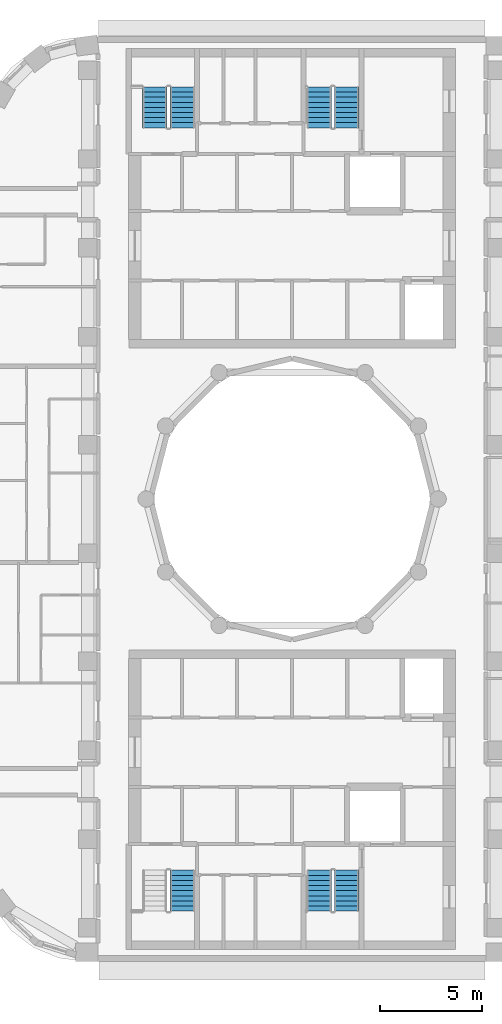
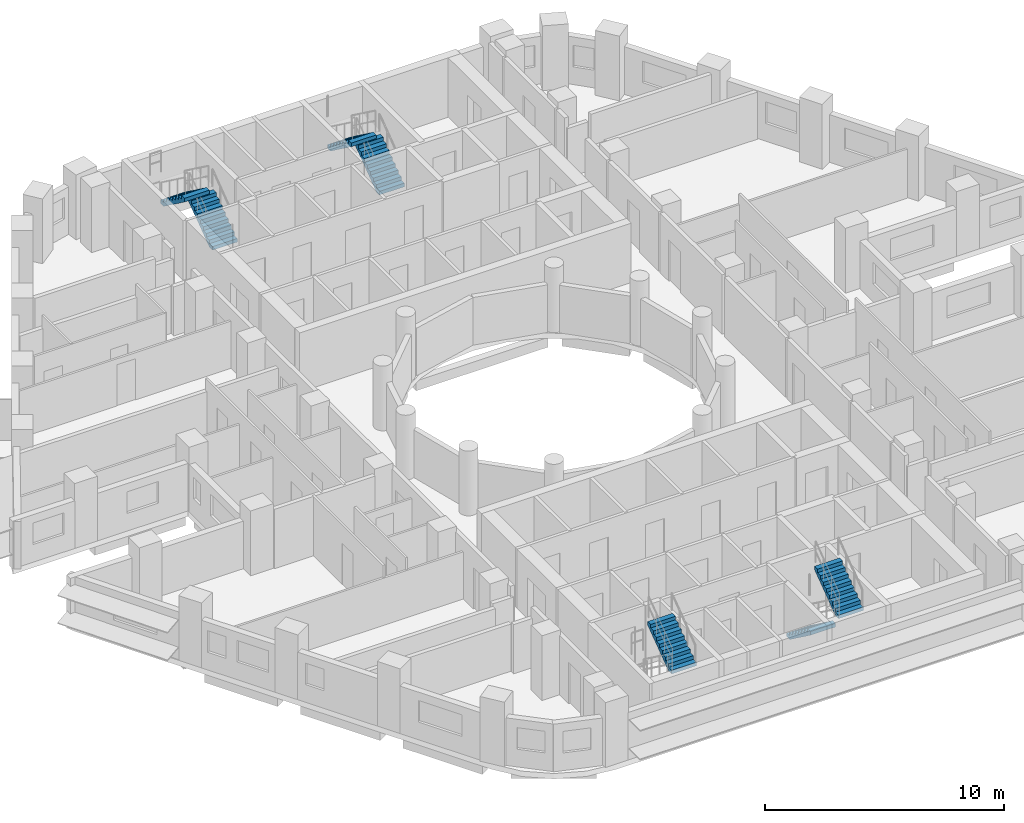
# One storey, part 9 of 13: 7 stair flights, 4 elements without a shape of their own.
"""IFC4 building model written with IfcOpenShell, lengths in metres."""

import ifcopenshell
import ifcopenshell.guid

model = None  # the IFC model being written
_history = None  # IfcOwnerHistory: only IFC2X3 demands one
_inside = {}  # id of a spatial element -> (the spatial element, [elements in it])
_under = {}  # id of a project, library or spatial element -> (it, [spatial elements below it])
_declared = {}  # id of a project -> (the project, [libraries it declares])
_typed = {}  # id of a type object -> (the type object, [elements of that type])
_made_of = {}  # id of a material, layer set ... -> (it, [elements and type objects made of it])


def new_model(schema):
    """Start an empty IFC model of exactly this schema.

    Asked for "IFC4X3", IfcOpenShell would pick the latest addendum, in which some entities
    have other attributes; the version numbers below select the first issue.
    IFC2X3 requires an IfcOwnerHistory on every rooted entity: one is made here for all.
    """
    global model, _history
    if schema == "IFC4X3":
        model = ifcopenshell.file(schema_version=(4, 3, 0, 0))
    else:
        model = ifcopenshell.file(schema=schema)
    _inside.clear()
    _under.clear()
    _declared.clear()
    _typed.clear()
    _made_of.clear()
    _history = None
    if model.schema == "IFC2X3":
        org = make("IfcOrganization", Name="unknown")
        user = make(
            "IfcPersonAndOrganization",
            ThePerson=make("IfcPerson", FamilyName="unknown"),
            TheOrganization=org,
        )
        app = make(
            "IfcApplication",
            ApplicationDeveloper=org,
            Version="unknown",
            ApplicationFullName="unknown",
            ApplicationIdentifier="unknown",
        )
        _history = make(
            "IfcOwnerHistory",
            OwningUser=user,
            OwningApplication=app,
            ChangeAction="ADDED",
            CreationDate=0,
        )
    return model


def make(cls, **values):
    """One entity of the class cls with the attributes given. An attribute that is None is left unset."""
    return model.create_entity(
        cls, **{name: value for name, value in values.items() if value is not None}
    )


def rooted(cls, **values):
    """An entity with a GlobalId (a new one), such as an element, a storey or a relation."""
    return make(cls, GlobalId=ifcopenshell.guid.new(), OwnerHistory=_history, **values)


def si_unit(unit_type, name, prefix=None):
    """IfcSIUnit, for example si_unit("LENGTHUNIT", "METRE", prefix="MILLI")."""
    return make("IfcSIUnit", UnitType=unit_type, Prefix=prefix, Name=name)


def assignment(units):
    """IfcUnitAssignment: the units of a project."""
    return None if units is None else make("IfcUnitAssignment", Units=units)


def point(xyz):
    """IfcCartesianPoint."""
    return None if xyz is None else make("IfcCartesianPoint", Coordinates=xyz)


def direction(xyz):
    """IfcDirection."""
    return None if xyz is None else make("IfcDirection", DirectionRatios=xyz)


def frame(location, z_axis=None, x_axis=None):
    """IfcAxis2Placement3D, a coordinate frame: its origin and axes. An axis left out is left unset."""
    return make(
        "IfcAxis2Placement3D",
        Location=point(location),
        Axis=direction(z_axis),
        RefDirection=direction(x_axis),
    )


def origin():
    """The frame at (0, 0, 0) with its axes left unset."""
    return frame((0.0, 0.0, 0.0))


def place(relative_to, where):
    """IfcLocalPlacement: puts the frame where relative to a parent placement (None: the world)."""
    return make(
        "IfcLocalPlacement", PlacementRelTo=relative_to, RelativePlacement=where
    )


def context(
    kind, dimensions, precision=None, world=None, true_north=None, identifier=None
):
    """IfcGeometricRepresentationContext, for example the 3D "Model" context."""
    return make(
        "IfcGeometricRepresentationContext",
        ContextIdentifier=identifier,
        ContextType=kind,
        CoordinateSpaceDimension=dimensions,
        Precision=precision,
        WorldCoordinateSystem=world,
        TrueNorth=true_north,
    )


def subcontext(parent, identifier, kind, view, scale=None):
    """IfcGeometricRepresentationSubContext, for example "Body" below "Model"."""
    return make(
        "IfcGeometricRepresentationSubContext",
        ContextIdentifier=identifier,
        ContextType=kind,
        ParentContext=parent,
        TargetScale=scale,
        TargetView=view,
    )


def project(units=None, contexts=None):
    """IfcProject with its units and contexts."""
    return rooted(
        "IfcProject",
        Name="project",
        RepresentationContexts=contexts,
        UnitsInContext=assignment(units),
    )


def spatial(cls, under=None, at=None, **own):
    """A site, building, storey or space (cls), placed at a placement, below another one or the project."""
    s = rooted(cls, ObjectPlacement=at, **own)
    if under is not None:
        _under.setdefault(under.id(), (under, []))[1].append(s)
    return s


def polyline(points):
    """IfcPolyline through the points."""
    return make("IfcPolyline", Points=[point(p) for p in points])


def outline(outer, holes=None, kind="AREA"):
    """IfcArbitraryClosedProfileDef: a profile drawn as a closed curve; with holes, ...WithVoids."""
    if holes is None:
        return make("IfcArbitraryClosedProfileDef", ProfileType=kind, OuterCurve=outer)
    return make(
        "IfcArbitraryProfileDefWithVoids",
        ProfileType=kind,
        OuterCurve=outer,
        InnerCurves=holes,
    )


def extrude(swept, where, along, depth):
    """IfcExtrudedAreaSolid: the profile swept, set in the frame where, extruded along a direction by depth."""
    return make(
        "IfcExtrudedAreaSolid",
        SweptArea=swept,
        Position=where,
        ExtrudedDirection=direction(along),
        Depth=depth,
    )


def shape(context_of_items, identifier, shape_type, items):
    """IfcShapeRepresentation: the items that make up one representation, for example the "Body"."""
    return make(
        "IfcShapeRepresentation",
        ContextOfItems=context_of_items,
        RepresentationIdentifier=identifier,
        RepresentationType=shape_type,
        Items=items,
    )


def material(Name=None, Category=None):
    """IfcMaterial."""
    return make("IfcMaterial", Name=Name, Category=Category)


def made_of(thing, what):
    """Note that an element or type object is made of a material, layer set ...; save() writes the relation."""
    if what is not None:
        _made_of.setdefault(what.id(), (what, []))[1].append(thing)
    return thing


def type_object(cls, material=None, **own):
    """A type object (cls), such as IfcWallType, which elements share."""
    return made_of(rooted(cls, **own), material)


def element(
    cls,
    number,
    at=None,
    inside=None,
    cuts=None,
    type_object=None,
    material=None,
    context=None,
    identifier="Body",
    shape_type=None,
    held_by="IfcProductDefinitionShape",
    body=None,
    shapes=None,
    **own,
):
    """One element of the class cls, such as IfcWall. Its Tag is "e" and its number.

    at: its placement. inside: the storey or other place that contains it. cuts: it is an
    opening in that element (IfcRelVoidsElement). A single representation is given by context,
    identifier, shape_type and body (its items); several are given by shapes. held_by: the class
    of the entity that holds the representations. save() writes the other relations.
    """
    e = rooted(cls, Tag="e%d" % number, ObjectPlacement=at, **own)
    if body is not None:
        shapes = [shape(context, identifier, shape_type, body)]
    if shapes is not None:
        e.Representation = make(held_by, Representations=shapes)
    if inside is not None:
        _inside.setdefault(inside.id(), (inside, []))[1].append(e)
    if cuts is not None:
        rooted(
            "IfcRelVoidsElement", RelatingBuildingElement=cuts, RelatedOpeningElement=e
        )
    if type_object is not None:
        _typed.setdefault(type_object.id(), (type_object, []))[1].append(e)
    return made_of(e, material)


def aggregate(whole, parts):
    """IfcRelAggregates: a whole, such as a stair, and the parts it consists of."""
    return rooted("IfcRelAggregates", RelatingObject=whole, RelatedObjects=parts)


def save(model, path):
    """Write the relations noted so far, then the file.

    IfcRelAggregates (storeys below a building ...), IfcRelContainedInSpatialStructure (elements
    in a storey), IfcRelDefinesByType, IfcRelAssociatesMaterial and IfcRelDeclares: one each for
    every whole, place, type object, material and project.
    """
    for whole, parts in _under.values():
        aggregate(whole, parts)
    for where, things in _inside.values():
        rooted(
            "IfcRelContainedInSpatialStructure",
            RelatedElements=things,
            RelatingStructure=where,
        )
    for kind, things in _typed.values():
        rooted("IfcRelDefinesByType", RelatedObjects=things, RelatingType=kind)
    for what, things in _made_of.values():
        rooted("IfcRelAssociatesMaterial", RelatedObjects=things, RelatingMaterial=what)
    for by, libraries in _declared.values():
        rooted("IfcRelDeclares", RelatingContext=by, RelatedDefinitions=libraries)
    model.write(path)


model = new_model("IFC4")

# Units and contexts
model_context = context("Model", 3, precision=1e-05, world=origin(), true_north=direction((0.0, 1.0)))
body_context = subcontext(model_context, "Body", "Model", "MODEL_VIEW")
ifc_project = project(units=[si_unit("LENGTHUNIT", "METRE"), si_unit("AREAUNIT", "SQUARE_METRE"), si_unit("VOLUMEUNIT", "CUBIC_METRE"), si_unit("PLANEANGLEUNIT", "RADIAN"), si_unit("MASSUNIT", "GRAM", prefix="KILO")], contexts=[model_context])

# Site, building, storey
site_placement = place(None, origin())
site = spatial("IfcSite", under=ifc_project, at=site_placement, CompositionType="ELEMENT")
building_placement = place(site_placement, origin())
building = spatial("IfcBuilding", under=site, at=building_placement, Name="Nakaniwa Court", CompositionType="ELEMENT")
storey_placement = place(building_placement, frame((0.0, 0.0, 246.0)))
storey = spatial("IfcBuildingStorey", under=building, at=storey_placement, Name="L64", CompositionType="ELEMENT", Elevation=246.0)

# Stair, stair flights
ifc_material = material(Name="Concrete C80/100", Category="concrete")
stair_type = type_object("IfcStairType", Name="Dog leg stair 1200 wide 18 risers", PredefinedType="HALF_TURN_STAIR", material=ifc_material)
stair_1_placement = place(storey_placement, origin())
stair_1 = element("IfcStair", 1, at=stair_1_placement, inside=storey, type_object=stair_type, Name="L64 Stair ST1", PredefinedType="HALF_TURN_STAIR")
stair_flight_type = type_object("IfcStairFlightType", Name="Stair flight 1200 wide 9 risers", PredefinedType="STRAIGHT", material=ifc_material)
stair_flight_1_placement = place(storey_placement, frame((74.625, 98.175048828125, 0.0), z_axis=(0.0, 0.0, 1.0), x_axis=(0.0, 1.0, 0.0)))
stair_flight_1 = element("IfcStairFlight", 2, at=stair_flight_1_placement, type_object=stair_flight_type, Name="ST1 flight 1", NumberOfRisers=9, NumberOfTreads=8, PredefinedType="STRAIGHT", RiserHeight=0.183333333, TreadLength=0.25, context=body_context, shape_type="SweptSolid", body=[
    extrude(outline(polyline([(0.0, 0.0), (0.0, 0.026123046875), (0.0, 0.052490234375), (0.0, 0.07861328125), (0.0, 0.104736328125), (0.0, 0.130859375), (0.0, 0.1572265625), (0.0, 0.183349609375), (0.25, 0.183349609375), (0.25, 0.36669921875), (0.5, 0.36669921875), (0.5, 0.550048828125), (0.75, 0.550048828125), (0.75, 0.7333984375), (1.0, 0.7333984375), (1.0, 0.916748046875), (1.25, 0.916748046875), (1.25, 1.10009765625), (1.5, 1.10009765625), (1.5, 1.283447265625), (1.75, 1.283447265625), (1.75, 1.466552734375), (2.0, 1.466552734375), (2.0, 1.64990234375), (2.0, 1.59716796875), (2.0, 1.54443359375), (2.0, 1.49169921875), (2.0, 1.43896484375), (2.0, 1.38623046875), (2.0, 1.33349609375), (2.0, 1.28076171875), (0.25341796875, 0.0), (0.0, 0.0)])), frame((0.0, 0.60009765625, 0.0), z_axis=(0.0, -1.0, 0.0), x_axis=(1.0, 0.0, 0.0)), (0.0, 0.0, 1.0), 1.199951171875),
])
stair_flight_2_placement = place(storey_placement, frame((73.27490234375, 100.175048828125, 1.64990234375), z_axis=(0.0, 0.0, 1.0), x_axis=(0.0, -1.0, 0.0)))
stair_flight_2 = element("IfcStairFlight", 3, at=stair_flight_2_placement, type_object=stair_flight_type, Name="ST1 flight 2", NumberOfRisers=9, NumberOfTreads=8, PredefinedType="STRAIGHT", RiserHeight=0.183333333, TreadLength=0.25, context=body_context, shape_type="SweptSolid", body=[
    extrude(outline(polyline([(0.0, 0.0), (0.0, 0.026123046875), (0.0, 0.052490234375), (0.0, 0.07861328125), (0.0, 0.104736328125), (0.0, 0.130859375), (0.0, 0.1572265625), (0.0, 0.183349609375), (0.25, 0.183349609375), (0.25, 0.36669921875), (0.5, 0.36669921875), (0.5, 0.550048828125), (0.75, 0.550048828125), (0.75, 0.7333984375), (1.0, 0.7333984375), (1.0, 0.916748046875), (1.25, 0.916748046875), (1.25, 1.10009765625), (1.5, 1.10009765625), (1.5, 1.283447265625), (1.75, 1.283447265625), (1.75, 1.466552734375), (2.0, 1.466552734375), (2.0, 1.64990234375), (2.0, 1.59716796875), (2.0, 1.54443359375), (2.0, 1.49169921875), (2.0, 1.43896484375), (2.0, 1.38623046875), (2.0, 1.33349609375), (2.0, 1.28076171875), (0.25341796875, 0.0), (0.0, 0.0)])), frame((0.0, 0.60009765625, 0.0), z_axis=(0.0, -1.0, 0.0), x_axis=(1.0, 0.0, 0.0)), (0.0, 0.0, 1.0), 1.199951171875),
])
aggregate(stair_1, [stair_flight_1, stair_flight_2])

stair_2_placement = place(storey_placement, origin())
stair_2 = element("IfcStair", 4, at=stair_2_placement, inside=storey, type_object=stair_type, Name="L64 Stair ST2", PredefinedType="HALF_TURN_STAIR")
stair_flight_3_placement = place(storey_placement, frame((82.675048828125, 98.175048828125, 0.0), z_axis=(0.0, 0.0, 1.0), x_axis=(0.0, 1.0, 0.0)))
stair_flight_3 = element("IfcStairFlight", 5, at=stair_flight_3_placement, type_object=stair_flight_type, Name="ST2 flight 1", NumberOfRisers=9, NumberOfTreads=8, PredefinedType="STRAIGHT", RiserHeight=0.183333333, TreadLength=0.25, context=body_context, shape_type="SweptSolid", body=[
    extrude(outline(polyline([(0.0, 0.0), (0.0, 0.026123046875), (0.0, 0.052490234375), (0.0, 0.07861328125), (0.0, 0.104736328125), (0.0, 0.130859375), (0.0, 0.1572265625), (0.0, 0.183349609375), (0.25, 0.183349609375), (0.25, 0.36669921875), (0.5, 0.36669921875), (0.5, 0.550048828125), (0.75, 0.550048828125), (0.75, 0.7333984375), (1.0, 0.7333984375), (1.0, 0.916748046875), (1.25, 0.916748046875), (1.25, 1.10009765625), (1.5, 1.10009765625), (1.5, 1.283447265625), (1.75, 1.283447265625), (1.75, 1.466552734375), (2.0, 1.466552734375), (2.0, 1.64990234375), (2.0, 1.59716796875), (2.0, 1.54443359375), (2.0, 1.49169921875), (2.0, 1.43896484375), (2.0, 1.38623046875), (2.0, 1.33349609375), (2.0, 1.28076171875), (0.25341796875, 0.0), (0.0, 0.0)])), frame((0.0, 0.60009765625, 0.0), z_axis=(0.0, -1.0, 0.0), x_axis=(1.0, 0.0, 0.0)), (0.0, 0.0, 1.0), 1.199951171875),
])
stair_flight_4_placement = place(storey_placement, frame((81.324951171875, 100.175048828125, 1.64990234375), z_axis=(0.0, 0.0, 1.0), x_axis=(0.0, -1.0, 0.0)))
stair_flight_4 = element("IfcStairFlight", 6, at=stair_flight_4_placement, type_object=stair_flight_type, Name="ST2 flight 2", NumberOfRisers=9, NumberOfTreads=8, PredefinedType="STRAIGHT", RiserHeight=0.183333333, TreadLength=0.25, context=body_context, shape_type="SweptSolid", body=[
    extrude(outline(polyline([(0.0, 0.0), (0.0, 0.026123046875), (0.0, 0.052490234375), (0.0, 0.07861328125), (0.0, 0.104736328125), (0.0, 0.130859375), (0.0, 0.1572265625), (0.0, 0.183349609375), (0.25, 0.183349609375), (0.25, 0.36669921875), (0.5, 0.36669921875), (0.5, 0.550048828125), (0.75, 0.550048828125), (0.75, 0.7333984375), (1.0, 0.7333984375), (1.0, 0.916748046875), (1.25, 0.916748046875), (1.25, 1.10009765625), (1.5, 1.10009765625), (1.5, 1.283447265625), (1.75, 1.283447265625), (1.75, 1.466552734375), (2.0, 1.466552734375), (2.0, 1.64990234375), (2.0, 1.59716796875), (2.0, 1.54443359375), (2.0, 1.49169921875), (2.0, 1.43896484375), (2.0, 1.38623046875), (2.0, 1.33349609375), (2.0, 1.28076171875), (0.25341796875, 0.0), (0.0, 0.0)])), frame((0.0, 0.60009765625, 0.0), z_axis=(0.0, -1.0, 0.0), x_axis=(1.0, 0.0, 0.0)), (0.0, 0.0, 1.0), 1.199951171875),
])
aggregate(stair_2, [stair_flight_3, stair_flight_4])

# Stair, stair flight
stair_3_placement = place(storey_placement, origin())
stair_3 = element("IfcStair", 7, at=stair_3_placement, inside=storey, type_object=stair_type, Name="L64 Stair ST3", PredefinedType="HALF_TURN_STAIR")
stair_flight_5_placement = place(storey_placement, frame((74.625, 59.824951171875, 1.64990234375), z_axis=(0.0, 0.0, 1.0), x_axis=(0.0, 1.0, 0.0)))
stair_flight_5 = element("IfcStairFlight", 8, at=stair_flight_5_placement, type_object=stair_flight_type, Name="ST3 flight 2", NumberOfRisers=9, NumberOfTreads=8, PredefinedType="STRAIGHT", RiserHeight=0.183333333, TreadLength=0.25, context=body_context, shape_type="SweptSolid", body=[
    extrude(outline(polyline([(0.0, 0.0), (0.0, 0.026123046875), (0.0, 0.052490234375), (0.0, 0.07861328125), (0.0, 0.104736328125), (0.0, 0.130859375), (0.0, 0.1572265625), (0.0, 0.183349609375), (0.25, 0.183349609375), (0.25, 0.36669921875), (0.5, 0.36669921875), (0.5, 0.550048828125), (0.75, 0.550048828125), (0.75, 0.7333984375), (1.0, 0.7333984375), (1.0, 0.916748046875), (1.25, 0.916748046875), (1.25, 1.10009765625), (1.5, 1.10009765625), (1.5, 1.283447265625), (1.75, 1.283447265625), (1.75, 1.466552734375), (2.0, 1.466552734375), (2.0, 1.64990234375), (2.0, 1.59716796875), (2.0, 1.54443359375), (2.0, 1.49169921875), (2.0, 1.43896484375), (2.0, 1.38623046875), (2.0, 1.33349609375), (2.0, 1.28076171875), (0.25341796875, 0.0), (0.0, 0.0)])), frame((0.0, 0.60009765625, 0.0), z_axis=(0.0, -1.0, 0.0), x_axis=(1.0, 0.0, 0.0)), (0.0, 0.0, 1.0), 1.199951171875),
])
aggregate(stair_3, [stair_flight_5])

# Stair, stair flights
stair_4_placement = place(storey_placement, origin())
stair_4 = element("IfcStair", 9, at=stair_4_placement, inside=storey, type_object=stair_type, Name="L64 Stair ST4", PredefinedType="HALF_TURN_STAIR")
stair_flight_6_placement = place(storey_placement, frame((81.324951171875, 61.824951171875, 0.0), z_axis=(0.0, 0.0, 1.0), x_axis=(0.0, -1.0, 0.0)))
stair_flight_6 = element("IfcStairFlight", 10, at=stair_flight_6_placement, type_object=stair_flight_type, Name="ST4 flight 1", NumberOfRisers=9, NumberOfTreads=8, PredefinedType="STRAIGHT", RiserHeight=0.183333333, TreadLength=0.25, context=body_context, shape_type="SweptSolid", body=[
    extrude(outline(polyline([(0.0, 0.0), (0.0, 0.026123046875), (0.0, 0.052490234375), (0.0, 0.07861328125), (0.0, 0.104736328125), (0.0, 0.130859375), (0.0, 0.1572265625), (0.0, 0.183349609375), (0.25, 0.183349609375), (0.25, 0.36669921875), (0.5, 0.36669921875), (0.5, 0.550048828125), (0.75, 0.550048828125), (0.75, 0.7333984375), (1.0, 0.7333984375), (1.0, 0.916748046875), (1.25, 0.916748046875), (1.25, 1.10009765625), (1.5, 1.10009765625), (1.5, 1.283447265625), (1.75, 1.283447265625), (1.75, 1.466552734375), (2.0, 1.466552734375), (2.0, 1.64990234375), (2.0, 1.59716796875), (2.0, 1.54443359375), (2.0, 1.49169921875), (2.0, 1.43896484375), (2.0, 1.38623046875), (2.0, 1.33349609375), (2.0, 1.28076171875), (0.25341796875, 0.0), (0.0, 0.0)])), frame((0.0, 0.60009765625, 0.0), z_axis=(0.0, -1.0, 0.0), x_axis=(1.0, 0.0, 0.0)), (0.0, 0.0, 1.0), 1.199951171875),
])
stair_flight_7_placement = place(storey_placement, frame((82.675048828125, 59.824951171875, 1.64990234375), z_axis=(0.0, 0.0, 1.0), x_axis=(0.0, 1.0, 0.0)))
stair_flight_7 = element("IfcStairFlight", 11, at=stair_flight_7_placement, type_object=stair_flight_type, Name="ST4 flight 2", NumberOfRisers=9, NumberOfTreads=8, PredefinedType="STRAIGHT", RiserHeight=0.183333333, TreadLength=0.25, context=body_context, shape_type="SweptSolid", body=[
    extrude(outline(polyline([(0.0, 0.0), (0.0, 0.026123046875), (0.0, 0.052490234375), (0.0, 0.07861328125), (0.0, 0.104736328125), (0.0, 0.130859375), (0.0, 0.1572265625), (0.0, 0.183349609375), (0.25, 0.183349609375), (0.25, 0.36669921875), (0.5, 0.36669921875), (0.5, 0.550048828125), (0.75, 0.550048828125), (0.75, 0.7333984375), (1.0, 0.7333984375), (1.0, 0.916748046875), (1.25, 0.916748046875), (1.25, 1.10009765625), (1.5, 1.10009765625), (1.5, 1.283447265625), (1.75, 1.283447265625), (1.75, 1.466552734375), (2.0, 1.466552734375), (2.0, 1.64990234375), (2.0, 1.59716796875), (2.0, 1.54443359375), (2.0, 1.49169921875), (2.0, 1.43896484375), (2.0, 1.38623046875), (2.0, 1.33349609375), (2.0, 1.28076171875), (0.25341796875, 0.0), (0.0, 0.0)])), frame((0.0, 0.60009765625, 0.0), z_axis=(0.0, -1.0, 0.0), x_axis=(1.0, 0.0, 0.0)), (0.0, 0.0, 1.0), 1.199951171875),
])
aggregate(stair_4, [stair_flight_6, stair_flight_7])

save(model, "model.ifc")
